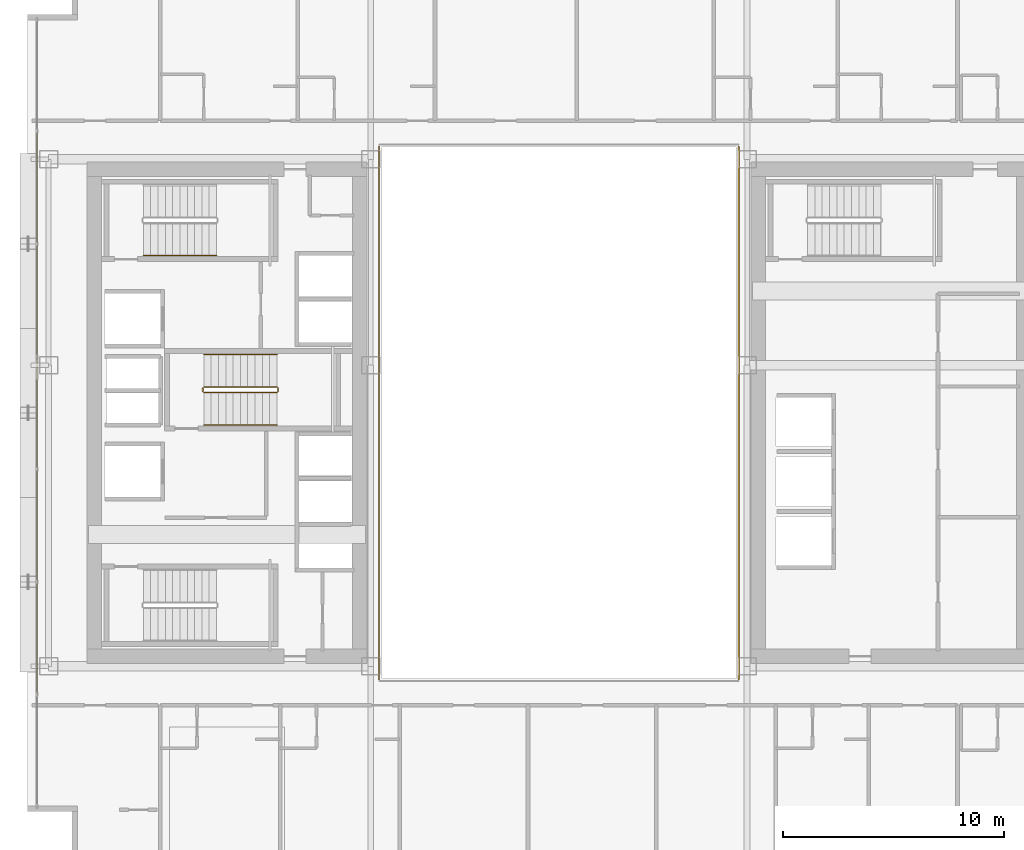
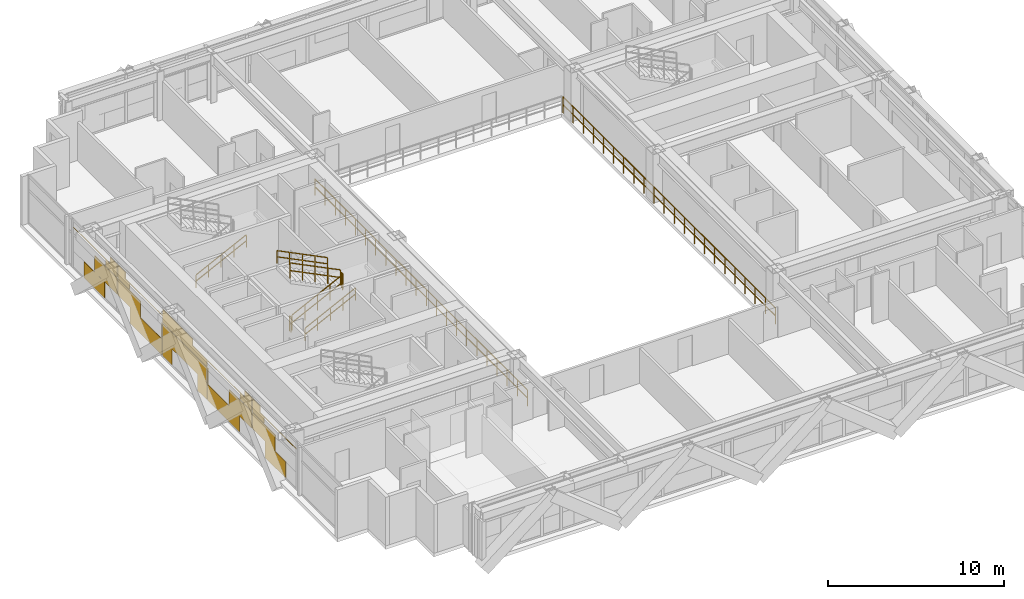
# One storey, part 33 of 35: 9 railings, 1 covering.
"""IFC4 building model written with IfcOpenShell, lengths in metres."""

from ifc_helpers import new_model, si_unit, direction, frame, origin, origin_2d, place, context, subcontext, project, spatial, rectangle, extrude, material, layer, layer_set, type_object, element, save


model = new_model("IFC4")

# Units and contexts
model_context = context("Model", 3, precision=1e-05, world=origin(), true_north=direction((0.0, 1.0)))
body_context = subcontext(model_context, "Body", "Model", "MODEL_VIEW")
ifc_project = project(units=[si_unit("LENGTHUNIT", "METRE"), si_unit("AREAUNIT", "SQUARE_METRE"), si_unit("VOLUMEUNIT", "CUBIC_METRE"), si_unit("PLANEANGLEUNIT", "RADIAN"), si_unit("MASSUNIT", "GRAM", prefix="KILO")], contexts=[model_context])

# Site, building, storey
site_placement = place(None, origin())
site = spatial("IfcSite", under=ifc_project, at=site_placement, CompositionType="ELEMENT")
building_placement = place(site_placement, origin())
building = spatial("IfcBuilding", under=site, at=building_placement, Name="Ocotamira Hotel", CompositionType="ELEMENT")
storey_placement = place(building_placement, frame((0.0, 0.0, 118.800048828125)))
storey = spatial("IfcBuildingStorey", under=building, at=storey_placement, Name="L29", CompositionType="ELEMENT", Elevation=118.800048828125)

# Covering
ifc_material_1 = material(Name="Insulated pale-metal aluminium spandrel panel", Category="aluminium")
ifc_layer = layer(ifc_material_1, 0.044921875)
ifc_layer_set = layer_set([ifc_layer], Name="Insulated pale-metal aluminium spandrel panel")
covering_type = type_object("IfcCoveringType", Name="COV-INFILL-45", PredefinedType="CLADDING", material=ifc_layer_set)
covering_placement = place(storey_placement, origin())
element("IfcCovering", 1, at=covering_placement, inside=storey, type_object=covering_type, Name="L29 Curtain Wall Infill CW-3 CW-L29-W", PredefinedType="CLADDING", context=body_context, shape_type="SweptSolid", body=[
    extrude(rectangle(XDim=2.35107421875, YDim=0.044921875, at=origin_2d()), frame((8.419921875, 15.741943359375, 0.0751953125), z_axis=(0.0, 0.0, 1.0), x_axis=(0.0, 1.0, 0.0)), (0.0, 0.0, 1.0), 1.117919921875),
    extrude(rectangle(XDim=2.578369140625, YDim=0.044921875, at=origin_2d()), frame((8.419921875, 17.041748046875, 1.194091796875), z_axis=(0.0, 0.0, 1.0), x_axis=(0.0, 1.0, 0.0)), (0.0, 0.0, 1.0), 1.11767578125),
    extrude(rectangle(XDim=5.004638671875, YDim=0.044921875, at=origin_2d()), frame((8.419921875, 15.82861328125, 2.80224609375), z_axis=(0.0, 0.0, 1.0), x_axis=(0.0, 1.0, 0.0)), (0.0, 0.0, 1.0), 0.033203125),
    extrude(rectangle(XDim=1.312744140625, YDim=0.044921875, at=origin_2d()), frame((8.419921875, 17.674560546875, 2.38818359375), z_axis=(0.0, 0.0, 1.0), x_axis=(0.0, 1.0, 0.0)), (0.0, 0.0, 1.0), 0.413330078125),
    extrude(rectangle(XDim=0.837158203125, YDim=0.044921875, at=origin_2d()), frame((8.419921875, 17.912353515625, 2.836669921875), z_axis=(0.0, 0.0, 1.0), x_axis=(0.0, 1.0, 0.0)), (0.0, 0.0, 1.0), 0.44775390625),
    extrude(rectangle(XDim=2.568603515625, YDim=0.044921875, at=origin_2d()), frame((8.419921875, 19.6962890625, 1.194091796875), z_axis=(0.0, 0.0, 1.0), x_axis=(0.0, 1.0, 0.0)), (0.0, 0.0, 1.0), 1.11767578125),
    extrude(rectangle(XDim=3.600830078125, YDim=0.044921875, at=origin_2d()), frame((8.419921875, 21.6162109375, 0.0751953125), z_axis=(0.0, 0.0, 1.0), x_axis=(0.0, 1.0, 0.0)), (0.0, 0.0, 1.0), 1.117919921875),
    extrude(rectangle(XDim=0.03076171875, YDim=0.044921875, at=origin_2d()), frame((8.419921875, 23.4013671875, 1.194091796875), z_axis=(0.0, 0.0, 1.0), x_axis=(0.0, 1.0, 0.0)), (0.0, 0.0, 1.0), 1.11767578125),
    extrude(rectangle(XDim=1.302978515625, YDim=0.044921875, at=origin_2d()), frame((8.419921875, 19.0634765625, 2.38818359375), z_axis=(0.0, 0.0, 1.0), x_axis=(0.0, 1.0, 0.0)), (0.0, 0.0, 1.0), 0.413330078125),
    extrude(rectangle(XDim=5.004638671875, YDim=0.044921875, at=origin_2d()), frame((8.419921875, 20.914306640625, 2.80224609375), z_axis=(0.0, 0.0, 1.0), x_axis=(0.0, 1.0, 0.0)), (0.0, 0.0, 1.0), 0.033203125),
    extrude(rectangle(XDim=0.827392578125, YDim=0.044921875, at=origin_2d()), frame((8.419921875, 18.82568359375, 2.836669921875), z_axis=(0.0, 0.0, 1.0), x_axis=(0.0, 1.0, 0.0)), (0.0, 0.0, 1.0), 0.44775390625),
    extrude(rectangle(XDim=1.05322265625, YDim=0.044921875, at=origin_2d()), frame((8.419921875, 24.0244140625, 0.0751953125), z_axis=(0.0, 0.0, 1.0), x_axis=(0.0, 1.0, 0.0)), (0.0, 0.0, 1.0), 1.117919921875),
    extrude(rectangle(XDim=5.004638671875, YDim=0.044921875, at=origin_2d()), frame((8.419921875, 26.0, 1.194091796875), z_axis=(0.0, 0.0, 1.0), x_axis=(0.0, 1.0, 0.0)), (0.0, 0.0, 1.0), 1.11767578125),
    extrude(rectangle(XDim=1.05322265625, YDim=0.044921875, at=origin_2d()), frame((8.419921875, 27.9755859375, 0.0751953125), z_axis=(0.0, 0.0, 1.0), x_axis=(0.0, 1.0, 0.0)), (0.0, 0.0, 1.0), 1.117919921875),
    extrude(rectangle(XDim=5.004638671875, YDim=0.044921875, at=origin_2d()), frame((8.419921875, 26.0, 2.387939453125), z_axis=(0.0, 0.0, 1.0), x_axis=(0.0, 1.0, 0.0)), (0.0, 0.0, 1.0), 0.44775390625),
    extrude(rectangle(XDim=3.375, YDim=0.044921875, at=origin_2d()), frame((8.419921875, 26.814697265625, 2.836669921875), z_axis=(0.0, 0.0, 1.0), x_axis=(0.0, 1.0, 0.0)), (0.0, 0.0, 1.0), 0.44775390625),
    extrude(rectangle(XDim=3.600830078125, YDim=0.044921875, at=origin_2d()), frame((8.419921875, 30.3837890625, 0.0751953125), z_axis=(0.0, 0.0, 1.0), x_axis=(0.0, 1.0, 0.0)), (0.0, 0.0, 1.0), 1.117919921875),
    extrude(rectangle(XDim=0.03076171875, YDim=0.044921875, at=origin_2d()), frame((8.419921875, 28.5986328125, 1.194091796875), z_axis=(0.0, 0.0, 1.0), x_axis=(0.0, 1.0, 0.0)), (0.0, 0.0, 1.0), 1.11767578125),
    extrude(rectangle(XDim=2.568603515625, YDim=0.044921875, at=origin_2d()), frame((8.419921875, 32.3037109375, 1.194091796875), z_axis=(0.0, 0.0, 1.0), x_axis=(0.0, 1.0, 0.0)), (0.0, 0.0, 1.0), 1.11767578125),
    extrude(rectangle(XDim=5.004638671875, YDim=0.044921875, at=origin_2d()), frame((8.419921875, 31.085693359375, 2.80224609375), z_axis=(0.0, 0.0, 1.0), x_axis=(0.0, 1.0, 0.0)), (0.0, 0.0, 1.0), 0.033203125),
    extrude(rectangle(XDim=1.302978515625, YDim=0.044921875, at=origin_2d()), frame((8.419921875, 32.9365234375, 2.38818359375), z_axis=(0.0, 0.0, 1.0), x_axis=(0.0, 1.0, 0.0)), (0.0, 0.0, 1.0), 0.413330078125),
    extrude(rectangle(XDim=0.827392578125, YDim=0.044921875, at=origin_2d()), frame((8.419921875, 33.17431640625, 2.836669921875), z_axis=(0.0, 0.0, 1.0), x_axis=(0.0, 1.0, 0.0)), (0.0, 0.0, 1.0), 0.44775390625),
    extrude(rectangle(XDim=2.578369140625, YDim=0.044921875, at=origin_2d()), frame((8.419921875, 34.958251953125, 1.194091796875), z_axis=(0.0, 0.0, 1.0), x_axis=(0.0, 1.0, 0.0)), (0.0, 0.0, 1.0), 1.11767578125),
    extrude(rectangle(XDim=2.35107421875, YDim=0.044921875, at=origin_2d()), frame((8.419921875, 36.258056640625, 0.0751953125), z_axis=(0.0, 0.0, 1.0), x_axis=(0.0, 1.0, 0.0)), (0.0, 0.0, 1.0), 1.117919921875),
    extrude(rectangle(XDim=1.312744140625, YDim=0.044921875, at=origin_2d()), frame((8.419921875, 34.325439453125, 2.38818359375), z_axis=(0.0, 0.0, 1.0), x_axis=(0.0, 1.0, 0.0)), (0.0, 0.0, 1.0), 0.413330078125),
    extrude(rectangle(XDim=5.004638671875, YDim=0.044921875, at=origin_2d()), frame((8.419921875, 36.17138671875, 2.80224609375), z_axis=(0.0, 0.0, 1.0), x_axis=(0.0, 1.0, 0.0)), (0.0, 0.0, 1.0), 0.033203125),
    extrude(rectangle(XDim=0.837158203125, YDim=0.044921875, at=origin_2d()), frame((8.419921875, 34.087646484375, 2.836669921875), z_axis=(0.0, 0.0, 1.0), x_axis=(0.0, 1.0, 0.0)), (0.0, 0.0, 1.0), 0.44775390625),
])

# Railings
ifc_material_2 = material(Name="Painted steel stair guardrail", Category="steel")
railing_type_1 = type_object("IfcRailingType", Name="RL-EDGE-1150", PredefinedType="GUARDRAIL", material=ifc_material_2)
railing_1_placement = place(storey_placement, frame((40.1201171875, 13.9599609375, 0.0)))
element("IfcRailing", 2, at=railing_1_placement, inside=storey, type_object=railing_type_1, Name="L29 Central Atrium Edge Guardrail E", PredefinedType="GUARDRAIL", context=body_context, shape_type="SweptSolid", body=[
    extrude(rectangle(XDim=0.048095703125, YDim=0.048095703125, at=origin_2d()), frame((0.0, 0.0, 1.1259765625), z_axis=(0.0, 1.0, 0.0), x_axis=(-1.0, 0.0, 0.0)), (0.0, 0.0, 1.0), 24.080078125),
    extrude(rectangle(XDim=0.048095703125, YDim=0.048095703125, at=origin_2d()), frame((0.0, 0.0, 0.574951171875), z_axis=(0.0, 1.0, 0.0), x_axis=(-1.0, 0.0, 0.0)), (0.0, 0.0, 1.0), 24.080078125),
    extrude(rectangle(XDim=0.0419921875, YDim=0.0419921875, at=origin_2d()), origin(), (0.0, 0.0, 1.0), 1.101806640625),
    extrude(rectangle(XDim=0.0419921875, YDim=0.0419921875, at=origin_2d()), frame((0.0, 1.146728515625, 0.0)), (0.0, 0.0, 1.0), 1.101806640625),
    extrude(rectangle(XDim=0.0419921875, YDim=0.0419921875, at=origin_2d()), frame((0.0, 2.29345703125, 0.0)), (0.0, 0.0, 1.0), 1.101806640625),
    extrude(rectangle(XDim=0.0419921875, YDim=0.0419921875, at=origin_2d()), frame((0.0, 3.43994140625, 0.0)), (0.0, 0.0, 1.0), 1.101806640625),
    extrude(rectangle(XDim=0.0419921875, YDim=0.0419921875, at=origin_2d()), frame((0.0, 4.586669921875, 0.0)), (0.0, 0.0, 1.0), 1.101806640625),
    extrude(rectangle(XDim=0.0419921875, YDim=0.0419921875, at=origin_2d()), frame((0.0, 5.7333984375, 0.0)), (0.0, 0.0, 1.0), 1.101806640625),
    extrude(rectangle(XDim=0.0419921875, YDim=0.0419921875, at=origin_2d()), frame((0.0, 6.880126953125, 0.0)), (0.0, 0.0, 1.0), 1.101806640625),
    extrude(rectangle(XDim=0.0419921875, YDim=0.0419921875, at=origin_2d()), frame((0.0, 8.026611328125, 0.0)), (0.0, 0.0, 1.0), 1.101806640625),
    extrude(rectangle(XDim=0.0419921875, YDim=0.0419921875, at=origin_2d()), frame((0.0, 9.17333984375, 0.0)), (0.0, 0.0, 1.0), 1.101806640625),
    extrude(rectangle(XDim=0.0419921875, YDim=0.0419921875, at=origin_2d()), frame((0.0, 10.320068359375, 0.0)), (0.0, 0.0, 1.0), 1.101806640625),
    extrude(rectangle(XDim=0.0419921875, YDim=0.0419921875, at=origin_2d()), frame((0.0, 11.466796875, 0.0)), (0.0, 0.0, 1.0), 1.101806640625),
    extrude(rectangle(XDim=0.0419921875, YDim=0.0419921875, at=origin_2d()), frame((0.0, 12.61328125, 0.0)), (0.0, 0.0, 1.0), 1.101806640625),
    extrude(rectangle(XDim=0.0419921875, YDim=0.0419921875, at=origin_2d()), frame((0.0, 13.760009765625, 0.0)), (0.0, 0.0, 1.0), 1.101806640625),
    extrude(rectangle(XDim=0.0419921875, YDim=0.0419921875, at=origin_2d()), frame((0.0, 14.90673828125, 0.0)), (0.0, 0.0, 1.0), 1.101806640625),
    extrude(rectangle(XDim=0.0419921875, YDim=0.0419921875, at=origin_2d()), frame((0.0, 16.053466796875, 0.0)), (0.0, 0.0, 1.0), 1.101806640625),
    extrude(rectangle(XDim=0.0419921875, YDim=0.0419921875, at=origin_2d()), frame((0.0, 17.199951171875, 0.0)), (0.0, 0.0, 1.0), 1.101806640625),
    extrude(rectangle(XDim=0.0419921875, YDim=0.0419921875, at=origin_2d()), frame((0.0, 18.3466796875, 0.0)), (0.0, 0.0, 1.0), 1.101806640625),
    extrude(rectangle(XDim=0.0419921875, YDim=0.0419921875, at=origin_2d()), frame((0.0, 19.493408203125, 0.0)), (0.0, 0.0, 1.0), 1.101806640625),
    extrude(rectangle(XDim=0.0419921875, YDim=0.0419921875, at=origin_2d()), frame((0.0, 20.64013671875, 0.0)), (0.0, 0.0, 1.0), 1.101806640625),
    extrude(rectangle(XDim=0.0419921875, YDim=0.0419921875, at=origin_2d()), frame((0.0, 21.78662109375, 0.0)), (0.0, 0.0, 1.0), 1.101806640625),
    extrude(rectangle(XDim=0.0419921875, YDim=0.0419921875, at=origin_2d()), frame((0.0, 22.933349609375, 0.0)), (0.0, 0.0, 1.0), 1.101806640625),
    extrude(rectangle(XDim=0.0419921875, YDim=0.0419921875, at=origin_2d()), frame((0.0, 24.080078125, 0.0)), (0.0, 0.0, 1.0), 1.101806640625),
])
railing_2_placement = place(storey_placement, frame((23.8798828125, 38.0400390625, 0.0)))
element("IfcRailing", 3, at=railing_2_placement, inside=storey, type_object=railing_type_1, Name="L29 Central Atrium Edge Guardrail W", PredefinedType="GUARDRAIL", context=body_context, shape_type="SweptSolid", body=[
    extrude(rectangle(XDim=0.048095703125, YDim=0.048095703125, at=origin_2d()), frame((0.0, 0.0, 1.1259765625), z_axis=(0.0, -1.0, 0.0), x_axis=(1.0, 0.0, 0.0)), (0.0, 0.0, 1.0), 24.080078125),
    extrude(rectangle(XDim=0.048095703125, YDim=0.048095703125, at=origin_2d()), frame((0.0, 0.0, 0.574951171875), z_axis=(0.0, -1.0, 0.0), x_axis=(1.0, 0.0, 0.0)), (0.0, 0.0, 1.0), 24.080078125),
    extrude(rectangle(XDim=0.0419921875, YDim=0.0419921875, at=origin_2d()), origin(), (0.0, 0.0, 1.0), 1.101806640625),
    extrude(rectangle(XDim=0.0419921875, YDim=0.0419921875, at=origin_2d()), frame((0.0, -1.146728515625, 0.0)), (0.0, 0.0, 1.0), 1.101806640625),
    extrude(rectangle(XDim=0.0419921875, YDim=0.0419921875, at=origin_2d()), frame((0.0, -2.29345703125, 0.0)), (0.0, 0.0, 1.0), 1.101806640625),
    extrude(rectangle(XDim=0.0419921875, YDim=0.0419921875, at=origin_2d()), frame((0.0, -3.43994140625, 0.0)), (0.0, 0.0, 1.0), 1.101806640625),
    extrude(rectangle(XDim=0.0419921875, YDim=0.0419921875, at=origin_2d()), frame((0.0, -4.586669921875, 0.0)), (0.0, 0.0, 1.0), 1.101806640625),
    extrude(rectangle(XDim=0.0419921875, YDim=0.0419921875, at=origin_2d()), frame((0.0, -5.7333984375, 0.0)), (0.0, 0.0, 1.0), 1.101806640625),
    extrude(rectangle(XDim=0.0419921875, YDim=0.0419921875, at=origin_2d()), frame((0.0, -6.880126953125, 0.0)), (0.0, 0.0, 1.0), 1.101806640625),
    extrude(rectangle(XDim=0.0419921875, YDim=0.0419921875, at=origin_2d()), frame((0.0, -8.026611328125, 0.0)), (0.0, 0.0, 1.0), 1.101806640625),
    extrude(rectangle(XDim=0.0419921875, YDim=0.0419921875, at=origin_2d()), frame((0.0, -9.17333984375, 0.0)), (0.0, 0.0, 1.0), 1.101806640625),
    extrude(rectangle(XDim=0.0419921875, YDim=0.0419921875, at=origin_2d()), frame((0.0, -10.320068359375, 0.0)), (0.0, 0.0, 1.0), 1.101806640625),
    extrude(rectangle(XDim=0.0419921875, YDim=0.0419921875, at=origin_2d()), frame((0.0, -11.466796875, 0.0)), (0.0, 0.0, 1.0), 1.101806640625),
    extrude(rectangle(XDim=0.0419921875, YDim=0.0419921875, at=origin_2d()), frame((0.0, -12.61328125, 0.0)), (0.0, 0.0, 1.0), 1.101806640625),
    extrude(rectangle(XDim=0.0419921875, YDim=0.0419921875, at=origin_2d()), frame((0.0, -13.760009765625, 0.0)), (0.0, 0.0, 1.0), 1.101806640625),
    extrude(rectangle(XDim=0.0419921875, YDim=0.0419921875, at=origin_2d()), frame((0.0, -14.90673828125, 0.0)), (0.0, 0.0, 1.0), 1.101806640625),
    extrude(rectangle(XDim=0.0419921875, YDim=0.0419921875, at=origin_2d()), frame((0.0, -16.053466796875, 0.0)), (0.0, 0.0, 1.0), 1.101806640625),
    extrude(rectangle(XDim=0.0419921875, YDim=0.0419921875, at=origin_2d()), frame((0.0, -17.199951171875, 0.0)), (0.0, 0.0, 1.0), 1.101806640625),
    extrude(rectangle(XDim=0.0419921875, YDim=0.0419921875, at=origin_2d()), frame((0.0, -18.3466796875, 0.0)), (0.0, 0.0, 1.0), 1.101806640625),
    extrude(rectangle(XDim=0.0419921875, YDim=0.0419921875, at=origin_2d()), frame((0.0, -19.493408203125, 0.0)), (0.0, 0.0, 1.0), 1.101806640625),
    extrude(rectangle(XDim=0.0419921875, YDim=0.0419921875, at=origin_2d()), frame((0.0, -20.64013671875, 0.0)), (0.0, 0.0, 1.0), 1.101806640625),
    extrude(rectangle(XDim=0.0419921875, YDim=0.0419921875, at=origin_2d()), frame((0.0, -21.78662109375, 0.0)), (0.0, 0.0, 1.0), 1.101806640625),
    extrude(rectangle(XDim=0.0419921875, YDim=0.0419921875, at=origin_2d()), frame((0.0, -22.933349609375, 0.0)), (0.0, 0.0, 1.0), 1.101806640625),
    extrude(rectangle(XDim=0.0419921875, YDim=0.0419921875, at=origin_2d()), frame((0.0, -24.080078125, 0.0)), (0.0, 0.0, 1.0), 1.101806640625),
])
ifc_material_3 = material(Name="Brushed stainless steel handrail", Category="steel")
railing_type_2 = type_object("IfcRailingType", Name="RL-HAND-900", PredefinedType="HANDRAIL", material=ifc_material_3)
for number, where, name in (
    (4, (13.22998046875, 33.10009765625, 0.3271484375), "L29 ST-2 stair handrail 1"),
    (5, (15.9599609375, 25.449951171875, 0.3271484375), "L29 ST-3 stair handrail 1"),
):
    element("IfcRailing", number, at=place(storey_placement, frame(where)), inside=storey, type_object=railing_type_2, Name=name, PredefinedType="HANDRAIL", context=body_context, shape_type="SweptSolid", body=[
        extrude(rectangle(XDim=0.048095703125, YDim=0.048095703125, at=origin_2d()), frame((0.0, 0.0, 0.8759765625), z_axis=(0.895893744519, 0.0, 0.4442683857), x_axis=(0.0, 1.0, 0.0)), (0.0, 0.0, 1.0), 3.68359375),
        extrude(rectangle(XDim=0.048095703125, YDim=0.048095703125, at=origin_2d()), frame((0.0, 0.0, 0.449951171875), z_axis=(0.895893744519, 0.0, 0.4442683857), x_axis=(0.0, 1.0, 0.0)), (0.0, 0.0, 1.0), 3.68359375),
        extrude(rectangle(XDim=0.0419921875, YDim=0.0419921875, at=origin_2d()), origin(), (0.0, 0.0, 1.0), 0.851806640625),
        extrude(rectangle(XDim=0.0419921875, YDim=0.0419921875, at=origin_2d()), frame((0.824951171875, 0.0, 0.4091796875)), (0.0, 0.0, 1.0), 0.851806640625),
        extrude(rectangle(XDim=0.0419921875, YDim=0.0419921875, at=origin_2d()), frame((1.64990234375, 0.0, 0.818359375)), (0.0, 0.0, 1.0), 0.851806640625),
        extrude(rectangle(XDim=0.0419921875, YDim=0.0419921875, at=origin_2d()), frame((2.47509765625, 0.0, 1.227294921875)), (0.0, 0.0, 1.0), 0.851806640625),
        extrude(rectangle(XDim=0.0419921875, YDim=0.0419921875, at=origin_2d()), frame((3.300048828125, 0.0, 1.636474609375)), (0.0, 0.0, 1.0), 0.851806640625),
    ])
railing_3_placement = place(storey_placement, frame((19.260009765625, 28.6298828125, 2.127197265625)))
element("IfcRailing", 6, at=railing_3_placement, inside=storey, type_object=railing_type_2, Name="L29 ST-3 stair handrail 2", PredefinedType="HANDRAIL", context=body_context, shape_type="SweptSolid", body=[
    extrude(rectangle(XDim=0.048095703125, YDim=0.048095703125, at=origin_2d()), frame((0.0, 0.0, 0.8759765625), z_axis=(-0.895893744519, 0.0, 0.4442683857), x_axis=(0.0, -1.0, 0.0)), (0.0, 0.0, 1.0), 3.68359375),
    extrude(rectangle(XDim=0.048095703125, YDim=0.048095703125, at=origin_2d()), frame((0.0, 0.0, 0.449951171875), z_axis=(-0.895893744519, 0.0, 0.4442683857), x_axis=(0.0, -1.0, 0.0)), (0.0, 0.0, 1.0), 3.68359375),
    extrude(rectangle(XDim=0.0419921875, YDim=0.0419921875, at=origin_2d()), origin(), (0.0, 0.0, 1.0), 0.851806640625),
    extrude(rectangle(XDim=0.0419921875, YDim=0.0419921875, at=origin_2d()), frame((-0.824951171875, 0.0, 0.4091796875)), (0.0, 0.0, 1.0), 0.851806640625),
    extrude(rectangle(XDim=0.0419921875, YDim=0.0419921875, at=origin_2d()), frame((-1.64990234375, 0.0, 0.818359375)), (0.0, 0.0, 1.0), 0.851806640625),
    extrude(rectangle(XDim=0.0419921875, YDim=0.0419921875, at=origin_2d()), frame((-2.47509765625, 0.0, 1.227294921875)), (0.0, 0.0, 1.0), 0.851806640625),
    extrude(rectangle(XDim=0.0419921875, YDim=0.0419921875, at=origin_2d()), frame((-3.300048828125, 0.0, 1.636474609375)), (0.0, 0.0, 1.0), 0.851806640625),
])
railing_type_3 = type_object("IfcRailingType", Name="RL-STAIR-1100", PredefinedType="GUARDRAIL", material=ifc_material_2)
railing_4_placement = place(storey_placement, frame((15.9599609375, 26.909912109375, 0.16357421875)))
element("IfcRailing", 7, at=railing_4_placement, inside=storey, type_object=railing_type_3, Name="L29 ST-3 stair guard 1", PredefinedType="GUARDRAIL", context=body_context, shape_type="SweptSolid", body=[
    extrude(rectangle(XDim=0.048095703125, YDim=0.048095703125, at=origin_2d()), frame((0.0, 0.0, 1.076171875), z_axis=(0.895893744519, 0.0, 0.4442683857), x_axis=(0.0, 1.0, 0.0)), (0.0, 0.0, 1.0), 3.68359375),
    extrude(rectangle(XDim=0.048095703125, YDim=0.048095703125, at=origin_2d()), frame((0.0, 0.0, 0.550048828125), z_axis=(0.895893744519, 0.0, 0.4442683857), x_axis=(0.0, 1.0, 0.0)), (0.0, 0.0, 1.0), 3.68359375),
    extrude(rectangle(XDim=0.0419921875, YDim=0.0419921875, at=origin_2d()), origin(), (0.0, 0.0, 1.0), 1.052001953125),
    extrude(rectangle(XDim=0.0419921875, YDim=0.0419921875, at=origin_2d()), frame((0.824951171875, 0.0, 0.4091796875)), (0.0, 0.0, 1.0), 1.052001953125),
    extrude(rectangle(XDim=0.0419921875, YDim=0.0419921875, at=origin_2d()), frame((1.64990234375, 0.0, 0.818359375)), (0.0, 0.0, 1.0), 1.052001953125),
    extrude(rectangle(XDim=0.0419921875, YDim=0.0419921875, at=origin_2d()), frame((2.47509765625, 0.0, 1.227294921875)), (0.0, 0.0, 1.0), 1.052001953125),
    extrude(rectangle(XDim=0.0419921875, YDim=0.0419921875, at=origin_2d()), frame((3.300048828125, 0.0, 1.636474609375)), (0.0, 0.0, 1.0), 1.052001953125),
])
railing_5_placement = place(storey_placement, frame((19.31005859375, 26.9599609375, 1.800048828125)))
element("IfcRailing", 8, at=railing_5_placement, inside=storey, type_object=railing_type_3, Name="L29 ST-3 stair guard 2", PredefinedType="GUARDRAIL", context=body_context, shape_type="SweptSolid", body=[
    extrude(rectangle(XDim=0.048095703125, YDim=0.048095703125, at=origin_2d()), frame((0.0, 0.0, 1.076171875), z_axis=(0.0, 1.0, 0.0), x_axis=(-1.0, 0.0, 0.0)), (0.0, 0.0, 1.0), 0.16015625),
    extrude(rectangle(XDim=0.048095703125, YDim=0.048095703125, at=origin_2d()), frame((0.0, 0.0, 0.550048828125), z_axis=(0.0, 1.0, 0.0), x_axis=(-1.0, 0.0, 0.0)), (0.0, 0.0, 1.0), 0.16015625),
    extrude(rectangle(XDim=0.0419921875, YDim=0.0419921875, at=origin_2d()), origin(), (0.0, 0.0, 1.0), 1.052001953125),
    extrude(rectangle(XDim=0.0419921875, YDim=0.0419921875, at=origin_2d()), frame((0.0, 0.16015625, 0.0)), (0.0, 0.0, 1.0), 1.052001953125),
])
railing_6_placement = place(storey_placement, frame((19.260009765625, 27.169921875, 1.963623046875)))
element("IfcRailing", 9, at=railing_6_placement, inside=storey, type_object=railing_type_3, Name="L29 ST-3 stair guard 3", PredefinedType="GUARDRAIL", context=body_context, shape_type="SweptSolid", body=[
    extrude(rectangle(XDim=0.048095703125, YDim=0.048095703125, at=origin_2d()), frame((0.0, 0.0, 1.076171875), z_axis=(-0.895920123917, 0.0, 0.444215186098), x_axis=(0.0, -1.0, 0.0)), (0.0, 0.0, 1.0), 3.683349609375),
    extrude(rectangle(XDim=0.048095703125, YDim=0.048095703125, at=origin_2d()), frame((0.0, 0.0, 0.550048828125), z_axis=(-0.895920123917, 0.0, 0.444215186098), x_axis=(0.0, -1.0, 0.0)), (0.0, 0.0, 1.0), 3.683349609375),
    extrude(rectangle(XDim=0.0419921875, YDim=0.0419921875, at=origin_2d()), origin(), (0.0, 0.0, 1.0), 1.052001953125),
    extrude(rectangle(XDim=0.0419921875, YDim=0.0419921875, at=origin_2d()), frame((-0.824951171875, 0.0, 0.4091796875)), (0.0, 0.0, 1.0), 1.052001953125),
    extrude(rectangle(XDim=0.0419921875, YDim=0.0419921875, at=origin_2d()), frame((-1.64990234375, 0.0, 0.818115234375)), (0.0, 0.0, 1.0), 1.052001953125),
    extrude(rectangle(XDim=0.0419921875, YDim=0.0419921875, at=origin_2d()), frame((-2.47509765625, 0.0, 1.22705078125)), (0.0, 0.0, 1.0), 1.052001953125),
    extrude(rectangle(XDim=0.0419921875, YDim=0.0419921875, at=origin_2d()), frame((-3.300048828125, 0.0, 1.63623046875)), (0.0, 0.0, 1.0), 1.052001953125),
])
railing_7_placement = place(storey_placement, frame((15.909912109375, 26.9599609375, 0.0)))
element("IfcRailing", 10, at=railing_7_placement, inside=storey, type_object=railing_type_3, Name="L29 ST-3 stair guard 4", PredefinedType="GUARDRAIL", context=body_context, shape_type="SweptSolid", body=[
    extrude(rectangle(XDim=0.048095703125, YDim=0.048095703125, at=origin_2d()), frame((0.0, 0.0, 1.076171875), z_axis=(0.0, 1.0, 0.0), x_axis=(-1.0, 0.0, 0.0)), (0.0, 0.0, 1.0), 0.16015625),
    extrude(rectangle(XDim=0.048095703125, YDim=0.048095703125, at=origin_2d()), frame((0.0, 0.0, 0.550048828125), z_axis=(0.0, 1.0, 0.0), x_axis=(-1.0, 0.0, 0.0)), (0.0, 0.0, 1.0), 0.16015625),
    extrude(rectangle(XDim=0.0419921875, YDim=0.0419921875, at=origin_2d()), origin(), (0.0, 0.0, 1.0), 1.052001953125),
    extrude(rectangle(XDim=0.0419921875, YDim=0.0419921875, at=origin_2d()), frame((0.0, 0.16015625, 0.0)), (0.0, 0.0, 1.0), 1.052001953125),
])

save(model, "model.ifc")
